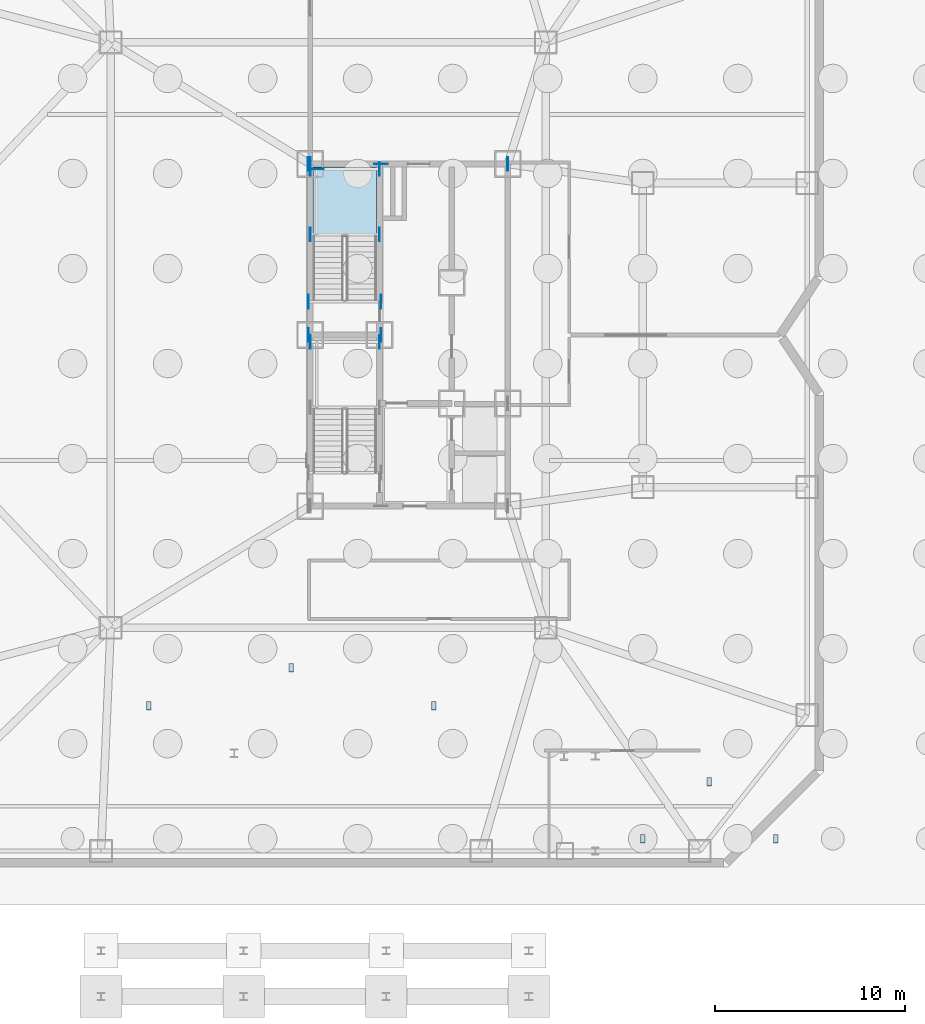
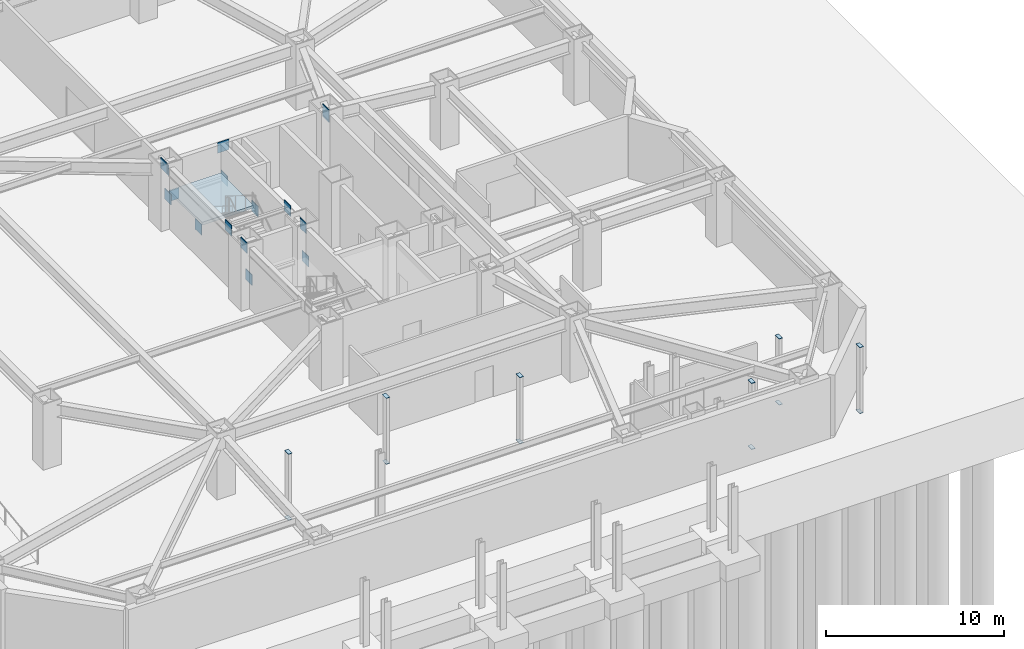
# One storey, part 9 of 15: 28 plates, 1 slab, 1 element without a shape of its own.
"""IFC4 building model written with IfcOpenShell, lengths in metres."""

from ifc_helpers import new_model, si_unit, direction, frame, origin, origin_2d, place, context, subcontext, project, spatial, polyline, rectangle, outline, extrude, material, layer, layer_set, type_object, element, aggregate, save


model = new_model("IFC4")

# Units and contexts
model_context = context("Model", 3, precision=1e-05, world=origin(), true_north=direction((0.0, 1.0)))
body_context = subcontext(model_context, "Body", "Model", "MODEL_VIEW")
ifc_project = project(units=[si_unit("LENGTHUNIT", "METRE"), si_unit("AREAUNIT", "SQUARE_METRE"), si_unit("VOLUMEUNIT", "CUBIC_METRE"), si_unit("PLANEANGLEUNIT", "RADIAN"), si_unit("MASSUNIT", "GRAM", prefix="KILO")], contexts=[model_context])

# Site, building, storey
site_placement = place(None, origin())
site = spatial("IfcSite", under=ifc_project, at=site_placement, CompositionType="ELEMENT")
building_placement = place(site_placement, origin())
building = spatial("IfcBuilding", under=site, at=building_placement, Name="Khamvora Tower", CompositionType="ELEMENT")
storey_placement = place(building_placement, frame((0.0, 0.0, -9.0)))
storey = spatial("IfcBuildingStorey", under=building, at=storey_placement, Name="B2", CompositionType="ELEMENT", Elevation=-9.0)

# Plates
ifc_material_1 = material(Name="Steel S355", Category="steel")
ifc_layer_1 = layer(ifc_material_1, 0.02490234375)
ifc_layer_set_1 = layer_set([ifc_layer_1], Name="Steel S355")
plate_type_1 = type_object("IfcPlateType", Name="PL-CAP-25", PredefinedType="SHEET", material=ifc_layer_set_1)
for number, where, z_axis, x_axis, name in (
    (1, (20.5, 8.5, -0.0244140625), (0.0, 0.0, 1.0), (1.0, 0.0, 0.0), "B2 hollow section steel end cap plate 0362"),
    (2, (20.5, 8.5, 4.50048828125), (0.0, 0.0, 1.0), (1.0, 0.0, 0.0), "B2 hollow section steel end cap plate 0363"),
    (3, (35.5, 8.5, -0.0244140625), (0.0, 0.0, 1.0), (1.0, 0.0, 0.0), "B2 hollow section steel end cap plate 0364"),
    (4, (35.5, 8.5, 4.50048828125), (0.0, 0.0, 1.0), (1.0, 0.0, 0.0), "B2 hollow section steel end cap plate 0365"),
    (5, (28.0, 10.5, -0.0244140625), (0.0, 0.0, 1.0), (1.0, 0.0, 0.0), "B2 hollow section steel end cap plate 0366"),
    (6, (28.0, 10.5, 4.50048828125), (0.0, 0.0, 1.0), (1.0, 0.0, 0.0), "B2 hollow section steel end cap plate 0367"),
    (7, (46.5, 1.5, -0.0244140625), (0.0, 0.0, 1.0), (1.0, 0.0, 0.0), "B2 hollow section steel end cap plate 0368"),
    (8, (46.5, 1.5, 4.50048828125), (0.0, 0.0, 1.0), (1.0, 0.0, 0.0), "B2 hollow section steel end cap plate 0369"),
    (9, (53.5, 1.5, -0.0244140625), (0.0, 0.0, 1.0), (1.0, 0.0, 0.0), "B2 hollow section steel end cap plate 0370"),
    (10, (53.5, 1.5, 4.50048828125), (0.0, 0.0, 1.0), (1.0, 0.0, 0.0), "B2 hollow section steel end cap plate 0371"),
    (11, (50.0, 4.5, -0.0244140625), (0.0, 0.0, 1.0), (1.0, 0.0, 0.0), "B2 hollow section steel end cap plate 0372"),
    (12, (50.0, 4.5, 4.50048828125), (0.0, 0.0, 1.0), (1.0, 0.0, 0.0), "B2 hollow section steel end cap plate 0373"),
):
    element("IfcPlate", number, at=place(storey_placement, frame(where, z_axis=z_axis, x_axis=x_axis)), inside=storey, type_object=plate_type_1, Name=name, PredefinedType="SHEET", context=body_context, shape_type="SweptSolid", body=[
        extrude(rectangle(XDim=0.239990234375, YDim=0.43994140625, at=origin_2d()), origin(), (0.0, 0.0, 1.0), 0.02490234375),
    ])
ifc_material_2 = material(Name="Steel S460", Category="steel")
ifc_layer_2 = layer(ifc_material_2, 0.034912109375)
ifc_layer_set_2 = layer_set([ifc_layer_2], Name="Steel S460")
plate_type_2 = type_object("IfcPlateType", Name="PL-EMB-35", PredefinedType="SHEET", material=ifc_layer_set_2)
for number, where, z_axis, x_axis, name in (
    (13, (29.0, 27.6298828125, 1.55908203125), (0.0, 0.0, 1.0), (1.0, 0.0, 0.0), "B2 core shear wall cast-in embed plate 0003"),
    (14, (32.64990234375, 27.6298828125, 1.55908203125), (0.0, 0.0, 1.0), (1.0, 0.0, 0.0), "B2 core shear wall cast-in embed plate 0004"),
    (15, (29.0, 33.294921875, 1.55908203125), (0.0, 0.0, 1.0), (1.0, 0.0, 0.0), "B2 core shear wall cast-in embed plate 0005"),
    (16, (32.64990234375, 33.294921875, 1.55908203125), (0.0, 0.0, 1.0), (1.0, 0.0, 0.0), "B2 core shear wall cast-in embed plate 0006"),
    (17, (29.0, 36.72998046875, 1.55908203125), (0.0, 0.0, 1.0), (1.0, 0.0, 0.0), "B2 core shear wall cast-in embed plate 0007"),
    (18, (32.64990234375, 36.72998046875, 1.55908203125), (0.0, 0.0, 1.0), (1.0, 0.0, 0.0), "B2 core shear wall cast-in embed plate 0008"),
):
    element("IfcPlate", number, at=place(storey_placement, frame(where, z_axis=z_axis, x_axis=x_axis)), inside=storey, type_object=plate_type_2, Name=name, PredefinedType="SHEET", context=body_context, shape_type="SweptSolid", body=[
        extrude(rectangle(XDim=0.034912109375, YDim=0.719970703125, at=origin_2d()), origin(), (0.0, 0.0, 1.0), 0.719970703125),
    ])
plate_1_placement = place(storey_placement, frame((29.35009765625, 36.72998046875, 1.55908203125), z_axis=(0.0, 0.0, 1.0), x_axis=(1.0, 0.0, 0.0)))
element("IfcPlate", 19, at=plate_1_placement, inside=storey, type_object=plate_type_2, Name="B2 core shear wall cast-in embed plate 0009", PredefinedType="SHEET", context=body_context, shape_type="SweptSolid", body=[
    extrude(rectangle(XDim=0.719970703125, YDim=0.034912109375, at=origin_2d()), origin(), (0.0, 0.0, 1.0), 0.719970703125),
])
for number, where, z_axis, x_axis, name in (
    (20, (29.0, 37.0, 3.39208984375), (0.0, 0.0, 1.0), (1.0, 0.0, 0.0), "B2 core shear wall cast-in embed plate 0012"),
    (21, (39.39990234375, 37.0, 3.39208984375), (0.0, 0.0, 1.0), (1.0, 0.0, 0.0), "B2 core shear wall cast-in embed plate 0013"),
    (22, (28.89990234375, 28.0, 3.55322265625), (0.0, 0.0, 1.0), (1.0, 0.0, 0.0), "B2 core shear wall cast-in embed plate 0015"),
    (23, (28.89990234375, 37.0, 3.55322265625), (0.0, 0.0, 1.0), (1.0, 0.0, 0.0), "B2 core shear wall cast-in embed plate 0016"),
    (24, (32.72998046875, 28.0, 3.55322265625), (0.0, 0.0, 1.0), (1.0, 0.0, 0.0), "B2 core shear wall cast-in embed plate 0018"),
):
    element("IfcPlate", number, at=place(storey_placement, frame(where, z_axis=z_axis, x_axis=x_axis)), inside=storey, type_object=plate_type_2, Name=name, PredefinedType="SHEET", context=body_context, shape_type="SweptSolid", body=[
        extrude(rectangle(XDim=0.034912109375, YDim=0.719970703125, at=origin_2d()), origin(), (0.0, 0.0, 1.0), 0.719970703125),
    ])
plate_2_placement = place(storey_placement, frame((32.72998046875, 37.0, 3.55322265625), z_axis=(0.0, 0.0, 1.0), x_axis=(1.0, 0.0, 0.0)))
element("IfcPlate", 25, at=plate_2_placement, inside=storey, type_object=plate_type_2, Name="B2 core shear wall cast-in embed plate 0019", PredefinedType="SHEET", context=body_context, shape_type="SweptSolid", body=[
    extrude(rectangle(XDim=0.719970703125, YDim=0.034912109375, at=origin_2d()), origin(), (0.0, 0.0, 1.0), 0.719970703125),
])
for number, where, z_axis, x_axis, name in (
    (26, (39.39990234375, 37.0, 3.55322265625), (0.0, 0.0, 1.0), (1.0, 0.0, 0.0), "B2 core shear wall cast-in embed plate 0022"),
    (27, (28.89990234375, 29.75, 3.69384765625), (0.0, 0.0, 1.0), (1.0, 0.0, 0.0), "B2 core shear wall cast-in embed plate 0025"),
    (28, (32.72998046875, 29.75, 3.69384765625), (0.0, 0.0, 1.0), (1.0, 0.0, 0.0), "B2 core shear wall cast-in embed plate 0026"),
):
    element("IfcPlate", number, at=place(storey_placement, frame(where, z_axis=z_axis, x_axis=x_axis)), inside=storey, type_object=plate_type_2, Name=name, PredefinedType="SHEET", context=body_context, shape_type="SweptSolid", body=[
        extrude(rectangle(XDim=0.034912109375, YDim=0.719970703125, at=origin_2d()), origin(), (0.0, 0.0, 1.0), 0.719970703125),
    ])

# Stair, slab
ifc_material_3 = material(Name="Concrete C40/50", Category="concrete")
stair_type = type_object("IfcStairType", Name="STR-ST-02", PredefinedType="HALF_TURN_STAIR", material=ifc_material_3)
stair_placement = place(storey_placement, origin())
stair = element("IfcStair", 29, at=stair_placement, inside=storey, type_object=stair_type, Name="B2 North Tower Exit Stair ST-02", PredefinedType="HALF_TURN_STAIR")
ifc_layer_3 = layer(ifc_material_3, 0.199951171875)
ifc_layer_set_3 = layer_set([ifc_layer_3], Name="Concrete C40/50")
slab_type = type_object("IfcSlabType", Name="SLB-LND-200", PredefinedType="LANDING", material=ifc_layer_set_3)
slab_placement = place(storey_placement, frame((0.0, 0.0, 2.050048828125)))
slab = element("IfcSlab", 30, at=slab_placement, type_object=slab_type, Name="ST-02 landing 1", PredefinedType="LANDING", context=body_context, shape_type="SweptSolid", body=[
    extrude(outline(polyline([(32.5, 33.175048828125), (32.5, 36.85009765625), (29.14990234375, 36.85009765625), (29.14990234375, 33.175048828125), (32.5, 33.175048828125)])), origin(), (0.0, 0.0, 1.0), 0.199951171875),
])
aggregate(stair, [slab])

save(model, "model.ifc")
